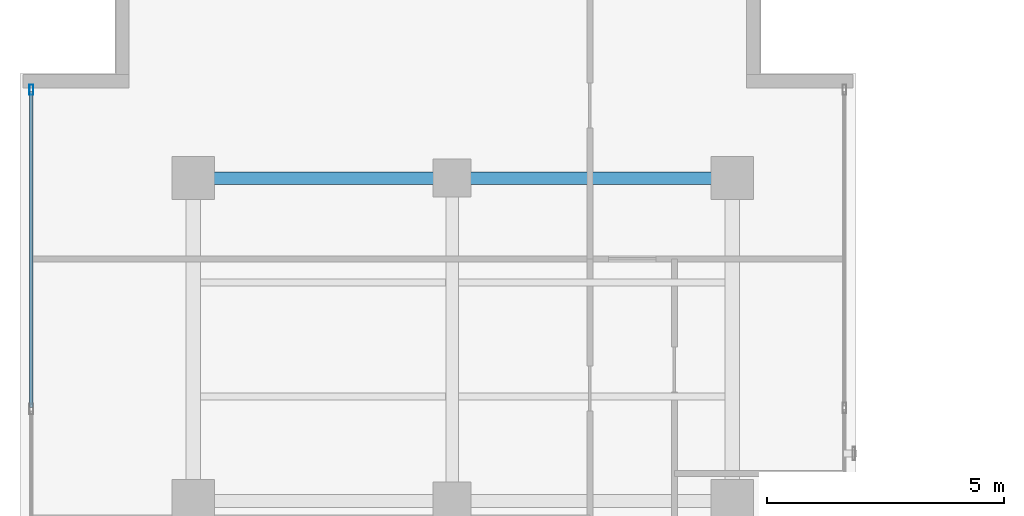
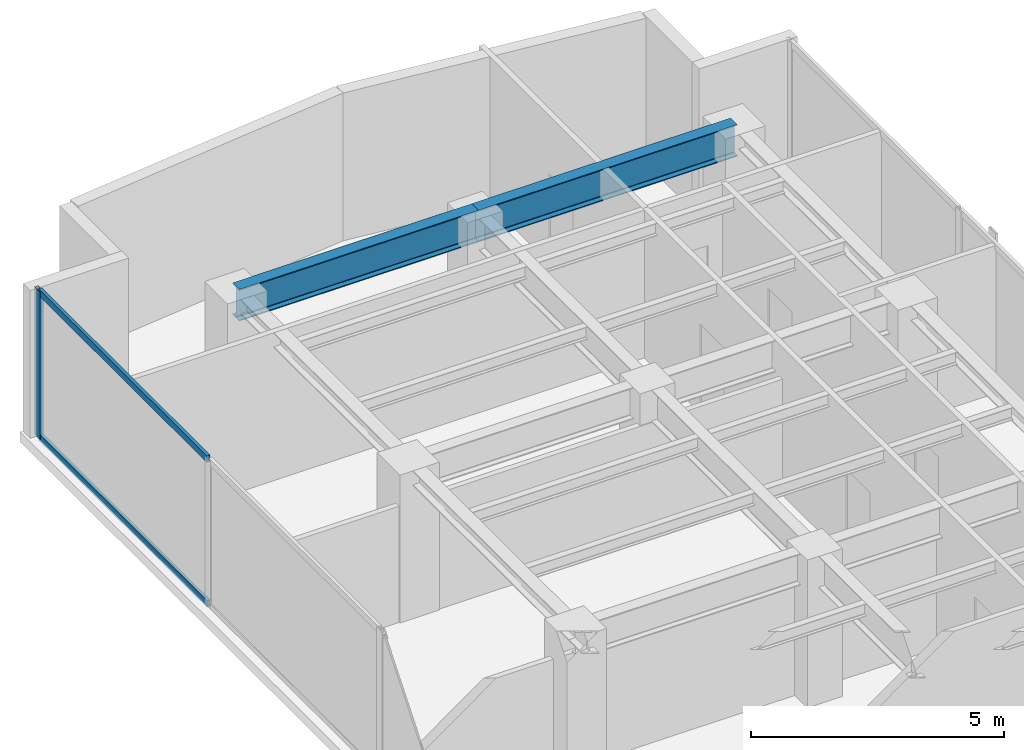
# One storey, part 14 of 22: 3 members, 2 beams, 1 element without a shape of its own.
"""IFC4 building model written with IfcOpenShell, lengths in metres."""

from ifc_helpers import new_model, si_unit, direction, frame, origin, origin_with_axes, origin_2d, place, context, subcontext, project, spatial, hollow_rectangle, i_section, extrude, source, transform, mapped, material, layer, layer_set, material_profile, profile_set, type_object, element, aggregate, save


model = new_model("IFC4")

# Units and contexts
model_context = context("Model", 3, precision=1e-05, world=origin(), true_north=direction((0.0, 1.0)))
body_context = subcontext(model_context, "Body", "Model", "MODEL_VIEW")
ifc_project = project(units=[si_unit("LENGTHUNIT", "METRE"), si_unit("AREAUNIT", "SQUARE_METRE"), si_unit("VOLUMEUNIT", "CUBIC_METRE"), si_unit("PLANEANGLEUNIT", "RADIAN"), si_unit("MASSUNIT", "GRAM", prefix="KILO")], contexts=[model_context])

# Site, building, storey
site_placement = place(None, origin())
site = spatial("IfcSite", under=ifc_project, at=site_placement, CompositionType="ELEMENT")
building_placement = place(site_placement, origin())
building = spatial("IfcBuilding", under=site, at=building_placement, Name="Kolvaren Waterfront Exchange", CompositionType="ELEMENT")
storey_placement = place(building_placement, frame((0.0, 0.0, 262.800048828125)))
storey = spatial("IfcBuildingStorey", under=building, at=storey_placement, Name="L67", CompositionType="ELEMENT", Elevation=262.800048828125)

# Beams
ifc_material_1 = material(Name="Steel S355", Category="steel")
ifc_material_profile_1 = material_profile(ifc_material_1, i_section(OverallWidth=0.26708984375, OverallDepth=0.761962890625, WebThickness=0.014404296875, FlangeThickness=0.021484375, FilletRadius=0.01708984375, at=origin_2d()), Name="IPE750x173")
ifc_profile_set_1 = profile_set([ifc_material_profile_1], Name="Steel S355")
beam_type = type_object("IfcBeamType", Name="STR-BM-IPE750", PredefinedType="BEAM", material=ifc_profile_set_1)
beam_1_placement = place(storey_placement, frame((7.449951171875, 44.60009765625, 3.178955078125), z_axis=(1.0, 0.0, 0.0), x_axis=(0.0, 1.0, 0.0)))
element("IfcBeam", 1, at=beam_1_placement, inside=storey, type_object=beam_type, Name="L67 north-arm girder 4A", PredefinedType="BEAM", context=body_context, shape_type="SweptSolid", body=[
    extrude(i_section(OverallWidth=0.26708984375, OverallDepth=0.761962890625, WebThickness=0.014404296875, FlangeThickness=0.021484375, FilletRadius=0.01708984375, at=origin_2d()), origin(), (0.0, 0.0, 1.0), 5.449951171875),
])
beam_2_placement = place(storey_placement, frame((12.89990234375, 44.60009765625, 3.178955078125), z_axis=(1.0, 0.0, 0.0), x_axis=(0.0, 1.0, 0.0)))
element("IfcBeam", 2, at=beam_2_placement, inside=storey, type_object=beam_type, Name="L67 north-arm girder 4B", PredefinedType="BEAM", context=body_context, shape_type="SweptSolid", body=[
    extrude(i_section(OverallWidth=0.26708984375, OverallDepth=0.761962890625, WebThickness=0.014404296875, FlangeThickness=0.021484375, FilletRadius=0.01708984375, at=origin_2d()), origin(), (0.0, 0.0, 1.0), 5.900146484375),
])

# Curtain wall, members
ifc_material_2 = material(Name="Anodised aluminium 6063-T6", Category="aluminium")
ifc_layer = layer(ifc_material_2, 0.219970703125, Name="Anodised aluminium 6063-T6")
ifc_layer_set = layer_set([ifc_layer], Name="Anodised aluminium 6063-T6")
curtain_wall_type = type_object("IfcCurtainWallType", Name="ARC-CW-SYS2", PredefinedType="USERDEFINED", material=ifc_layer_set)
curtain_wall_placement = place(storey_placement, origin())
curtain_wall = element("IfcCurtainWall", 3, at=curtain_wall_placement, inside=storey, type_object=curtain_wall_type, Name="L67 stick curtain wall CW2 (CW-L67-W)", ObjectType="STICK CURTAIN WALL", PredefinedType="USERDEFINED")
ifc_material_profile_2 = material_profile(ifc_material_2, hollow_rectangle(XDim=0.080078125, YDim=0.219970703125, WallThickness=0.0048828125, at=origin_2d()), Name="ALU-MUL-220x80x5")
ifc_profile_set_2 = profile_set([ifc_material_profile_2], Name="Anodised aluminium 6063-T6")
member_type_1 = type_object("IfcMemberType", Name="ARC-CWM-220", PredefinedType="MULLION", material=ifc_profile_set_2)
shared_shape_1 = source(origin_with_axes(), body_context, "Body", "SweptSolid", [
    extrude(hollow_rectangle(XDim=0.080078125, YDim=0.219970703125, WallThickness=0.0048828125, at=origin_2d()), origin(), (0.0, 0.0, 1.0), 3.56005859375),
])
member_1_placement = place(storey_placement, frame((4.0400390625, 46.4599609375, 0.0), z_axis=(0.0, 0.0, 1.0), x_axis=(-1.0, 0.0, 0.0)))
member_1 = element("IfcMember", 4, at=member_1_placement, type_object=member_type_1, Name="CW2 mullion 7", PredefinedType="MULLION", context=body_context, shape_type="MappedRepresentation", body=[
    mapped(shared_shape_1, transform((0.0, 0.0, 0.0), x_axis=(1.0, 0.0, 0.0), y_axis=(0.0, 1.0, 0.0), z_axis=(0.0, 0.0, 1.0), scale=1.0)),
])
ifc_material_profile_3 = material_profile(ifc_material_2, hollow_rectangle(XDim=0.074951171875, YDim=0.159912109375, WallThickness=0.00439453125, at=origin_2d()), Name="ALU-TRN-160x75x4.5")
ifc_profile_set_3 = profile_set([ifc_material_profile_3], Name="Anodised aluminium 6063-T6")
member_type_2 = type_object("IfcMemberType", Name="ARC-CWT-160", PredefinedType="USERDEFINED", material=ifc_profile_set_3)
shared_shape_2 = source(origin_with_axes(), body_context, "Body", "SweptSolid", [
    extrude(hollow_rectangle(XDim=0.074951171875, YDim=0.159912109375, WallThickness=0.00439453125, at=origin_2d()), origin(), (0.0, 0.0, 1.0), 6.646484375),
])
member_2_placement = place(storey_placement, frame((4.0400390625, 39.7734375, 0.037353515625), z_axis=(0.0, 1.0, 0.0), x_axis=(-1.0, 0.0, 0.0)))
member_2 = element("IfcMember", 5, at=member_2_placement, type_object=member_type_2, Name="CW2 transom 6.1", ObjectType="TRANSOM", PredefinedType="USERDEFINED", context=body_context, shape_type="MappedRepresentation", body=[
    mapped(shared_shape_2, transform((0.0, 0.0, 0.0), x_axis=(1.0, 0.0, 0.0), y_axis=(0.0, 1.0, 0.0), z_axis=(0.0, 0.0, 1.0), scale=1.0)),
])
member_3_placement = place(storey_placement, frame((4.0400390625, 39.7734375, 3.5224609375), z_axis=(0.0, 1.0, 0.0), x_axis=(-1.0, 0.0, 0.0)))
member_3 = element("IfcMember", 6, at=member_3_placement, type_object=member_type_2, Name="CW2 transom 6.2", ObjectType="TRANSOM", PredefinedType="USERDEFINED", context=body_context, shape_type="MappedRepresentation", body=[
    mapped(shared_shape_2, transform((0.0, 0.0, 0.0), x_axis=(1.0, 0.0, 0.0), y_axis=(0.0, 1.0, 0.0), z_axis=(0.0, 0.0, 1.0), scale=1.0)),
])
aggregate(curtain_wall, [member_1, member_2, member_3])

save(model, "model.ifc")
